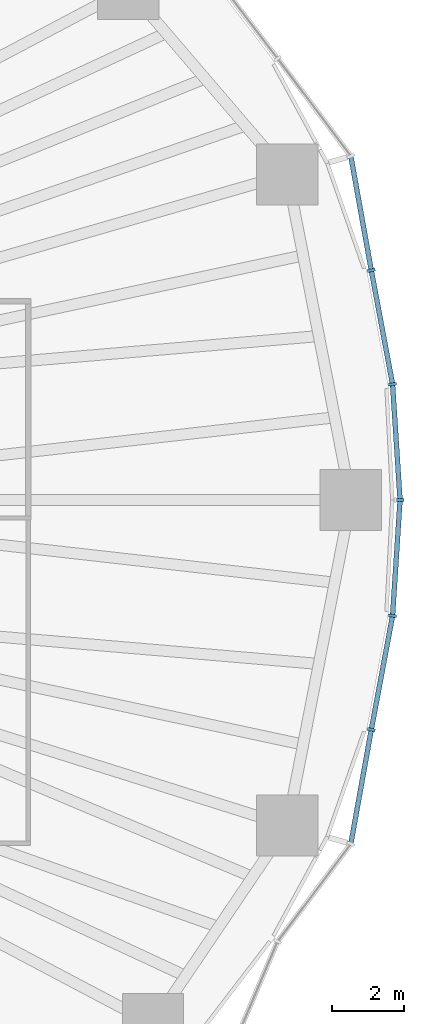
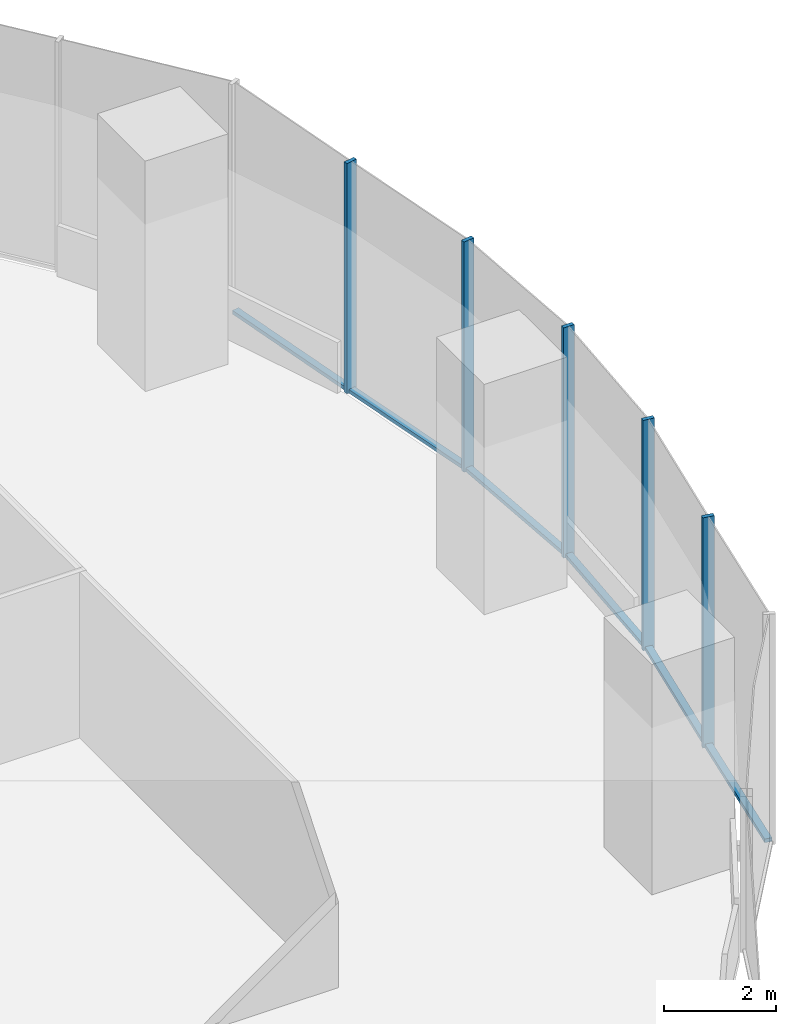
# One storey, part 7 of 20: 11 members, 2 elements without a shape of their own.
"""IFC4 building model written with IfcOpenShell, lengths in metres."""

from ifc_helpers import new_model, si_unit, direction, frame, origin, origin_2d, place, context, subcontext, project, spatial, rectangle, extrude, material, material_profile, profile_set, type_object, element, aggregate, save


model = new_model("IFC4")

# Units and contexts
model_context = context("Model", 3, precision=1e-05, world=origin(), true_north=direction((0.0, 1.0)))
body_context = subcontext(model_context, "Body", "Model", "MODEL_VIEW")
ifc_project = project(units=[si_unit("LENGTHUNIT", "METRE"), si_unit("AREAUNIT", "SQUARE_METRE"), si_unit("VOLUMEUNIT", "CUBIC_METRE"), si_unit("PLANEANGLEUNIT", "RADIAN"), si_unit("MASSUNIT", "GRAM", prefix="KILO")], contexts=[model_context])

# Site, building, storey
site_placement = place(None, origin())
site = spatial("IfcSite", under=ifc_project, at=site_placement, CompositionType="ELEMENT")
building_placement = place(site_placement, origin())
building = spatial("IfcBuilding", under=site, at=building_placement, Name="Ghaith Harvest Tower", CompositionType="ELEMENT")
storey_placement = place(building_placement, frame((0.0, 0.0, 60.0)))
storey = spatial("IfcBuildingStorey", under=building, at=storey_placement, Name="L12", CompositionType="ELEMENT", Elevation=60.0)

# Curtain wall, members
ifc_material_1 = material(Name="Black anodised aluminium and fritted glass", Category="aluminium")
curtain_wall_type = type_object("IfcCurtainWallType", Name="CW-F CURTAIN WALL", PredefinedType="NOTDEFINED", material=ifc_material_1)
curtain_wall_1_placement = place(storey_placement, origin())
curtain_wall_1 = element("IfcCurtainWall", 1, at=curtain_wall_1_placement, inside=storey, type_object=curtain_wall_type, Name="Curtain wall CW-F bay 01 L12", PredefinedType="NOTDEFINED")
ifc_material_2 = material(Name="Aluminium, black anodised", Category="aluminium")
ifc_material_profile_1 = material_profile(ifc_material_2, rectangle(XDim=0.080078125, YDim=0.219970703125, at=origin_2d()), Name="CW-F MULLION 80x220")
ifc_profile_set_1 = profile_set([ifc_material_profile_1], Name="Aluminium, black anodised")
member_type_1 = type_object("IfcMemberType", Name="CW-F MULLION 80x220", PredefinedType="MULLION", material=ifc_profile_set_1)
member_1_placement = place(storey_placement, frame((34.284912109375, 0.0, 0.0), z_axis=(0.0, 0.0, 1.0), x_axis=(1.05e-10, 1.0, 0.0)))
member_1 = element("IfcMember", 2, at=member_1_placement, type_object=member_type_1, Name="CW-F mullion 1 bay 01 L12", PredefinedType="MULLION", context=body_context, shape_type="SweptSolid", body=[
    extrude(rectangle(XDim=0.080078125, YDim=0.219970703125, at=origin_2d()), origin(), (0.0, 0.0, 1.0), 5.0),
])
member_2_placement = place(storey_placement, frame((34.077880859375, 3.205322265625, 0.0), z_axis=(0.0, 0.0, 1.0), x_axis=(-0.12416951168, 0.992261020281, 0.0)))
member_2 = element("IfcMember", 3, at=member_2_placement, type_object=member_type_1, Name="CW-F mullion 2 bay 01 L12", PredefinedType="MULLION", context=body_context, shape_type="SweptSolid", body=[
    extrude(rectangle(XDim=0.080078125, YDim=0.219970703125, at=origin_2d()), origin(), (0.0, 0.0, 1.0), 5.0),
])
member_3_placement = place(storey_placement, frame((33.489501953125, 6.3564453125, 0.0), z_axis=(0.0, 0.0, 1.0), x_axis=(-0.179943325455, 0.98367697931, 0.0)))
member_3 = element("IfcMember", 4, at=member_3_placement, type_object=member_type_1, Name="CW-F mullion 3 bay 01 L12", PredefinedType="MULLION", context=body_context, shape_type="SweptSolid", body=[
    extrude(rectangle(XDim=0.080078125, YDim=0.219970703125, at=origin_2d()), origin(), (0.0, 0.0, 1.0), 5.0),
])

curtain_wall_2_placement = place(storey_placement, origin())
curtain_wall_2 = element("IfcCurtainWall", 5, at=curtain_wall_2_placement, inside=storey, type_object=curtain_wall_type, Name="Curtain wall CW-F bay 20 L12", PredefinedType="NOTDEFINED")
member_4_placement = place(storey_placement, frame((33.489501953125, -6.3564453125, 0.0), z_axis=(0.0, 0.0, 1.0), x_axis=(0.17994332573, 0.98367697926, 0.0)))
member_4 = element("IfcMember", 6, at=member_4_placement, type_object=member_type_1, Name="CW-F mullion 2 bay 20 L12", PredefinedType="MULLION", context=body_context, shape_type="SweptSolid", body=[
    extrude(rectangle(XDim=0.080078125, YDim=0.219970703125, at=origin_2d()), origin(), (0.0, 0.0, 1.0), 5.0),
])
member_5_placement = place(storey_placement, frame((34.077880859375, -3.205322265625, 0.0), z_axis=(0.0, 0.0, 1.0), x_axis=(0.124169511819, 0.992261020264, 0.0)))
member_5 = element("IfcMember", 7, at=member_5_placement, type_object=member_type_1, Name="CW-F mullion 3 bay 20 L12", PredefinedType="MULLION", context=body_context, shape_type="SweptSolid", body=[
    extrude(rectangle(XDim=0.080078125, YDim=0.219970703125, at=origin_2d()), origin(), (0.0, 0.0, 1.0), 5.0),
])

# Member
ifc_material_3 = material(Name="Aluminium, black anodised", Category="aluminium")
ifc_material_profile_2 = material_profile(ifc_material_3, rectangle(XDim=0.139892578125, YDim=0.080078125, at=origin_2d()), Name="CW-F TRANSOM 140x80")
ifc_profile_set_2 = profile_set([ifc_material_profile_2], Name="Aluminium, black anodised")
member_type_2 = type_object("IfcMemberType", Name="CW-F TRANSOM 140x80", PredefinedType="USERDEFINED", material=ifc_profile_set_2)
member_6_placement = place(storey_placement, frame((34.282470703125, 0.039794921875, 0.0400390625), z_axis=(-0.064459898973, 0.997920298132, 0.0), x_axis=(-0.997920298132, -0.064459898973, 0.0)))
member_6 = element("IfcMember", 8, at=member_6_placement, type_object=member_type_2, Name="CW-F transom 1 bay 01 L12", ObjectType="TRANSOM", PredefinedType="USERDEFINED", context=body_context, shape_type="SweptSolid", body=[
    extrude(rectangle(XDim=0.139892578125, YDim=0.080078125, at=origin_2d()), origin(), (0.0, 0.0, 1.0), 3.13232421875),
])

member_7_placement = place(storey_placement, frame((34.070556640625, 3.24462890625, 0.0400390625), z_axis=(-0.183557496381, 0.983008975301, 0.0), x_axis=(-0.983008975301, -0.183557496381, 0.0)))
member_7 = element("IfcMember", 9, at=member_7_placement, type_object=member_type_2, Name="CW-F transom 2 bay 01 L12", ObjectType="TRANSOM", PredefinedType="USERDEFINED", context=body_context, shape_type="SweptSolid", body=[
    extrude(rectangle(XDim=0.139892578125, YDim=0.080078125, at=origin_2d()), origin(), (0.0, 0.0, 1.0), 3.125732421875),
])

member_8_placement = place(storey_placement, frame((33.482421875, 6.395751953125, 0.0400390625), z_axis=(-0.176303612865, 0.984335835013, 0.0), x_axis=(-0.984335835013, -0.176303612865, 0.0)))
member_8 = element("IfcMember", 10, at=member_8_placement, type_object=member_type_2, Name="CW-F transom 3 bay 01 L12", ObjectType="TRANSOM", PredefinedType="USERDEFINED", context=body_context, shape_type="SweptSolid", body=[
    extrude(rectangle(XDim=0.139892578125, YDim=0.080078125, at=origin_2d()), origin(), (0.0, 0.0, 1.0), 3.129638671875),
])

aggregate(curtain_wall_1, [member_1, member_6, member_2, member_7, member_3, member_8])

member_9_placement = place(storey_placement, frame((32.9306640625, -9.476318359375, 0.0400390625), z_axis=(0.176303612865, 0.984335835013, 0.0), x_axis=(-0.984335835013, 0.176303612865, 0.0)))
member_9 = element("IfcMember", 11, at=member_9_placement, type_object=member_type_2, Name="CW-F transom 1 bay 20 L12", ObjectType="TRANSOM", PredefinedType="USERDEFINED", context=body_context, shape_type="SweptSolid", body=[
    extrude(rectangle(XDim=0.139892578125, YDim=0.080078125, at=origin_2d()), origin(), (0.0, 0.0, 1.0), 3.129638671875),
])

member_10_placement = place(storey_placement, frame((33.496826171875, -6.317138671875, 0.0400390625), z_axis=(0.183557496381, 0.983008975301, 0.0), x_axis=(-0.983008975301, 0.183557496381, 0.0)))
member_10 = element("IfcMember", 12, at=member_10_placement, type_object=member_type_2, Name="CW-F transom 2 bay 20 L12", ObjectType="TRANSOM", PredefinedType="USERDEFINED", context=body_context, shape_type="SweptSolid", body=[
    extrude(rectangle(XDim=0.139892578125, YDim=0.080078125, at=origin_2d()), origin(), (0.0, 0.0, 1.0), 3.125732421875),
])

member_11_placement = place(storey_placement, frame((34.08056640625, -3.16552734375, 0.0400390625), z_axis=(0.064459898973, 0.997920298132, 0.0), x_axis=(-0.997920298132, 0.064459898973, 0.0)))
member_11 = element("IfcMember", 13, at=member_11_placement, type_object=member_type_2, Name="CW-F transom 3 bay 20 L12", ObjectType="TRANSOM", PredefinedType="USERDEFINED", context=body_context, shape_type="SweptSolid", body=[
    extrude(rectangle(XDim=0.139892578125, YDim=0.080078125, at=origin_2d()), origin(), (0.0, 0.0, 1.0), 3.13232421875),
])

aggregate(curtain_wall_2, [member_9, member_4, member_10, member_5, member_11])

save(model, "model.ifc")
